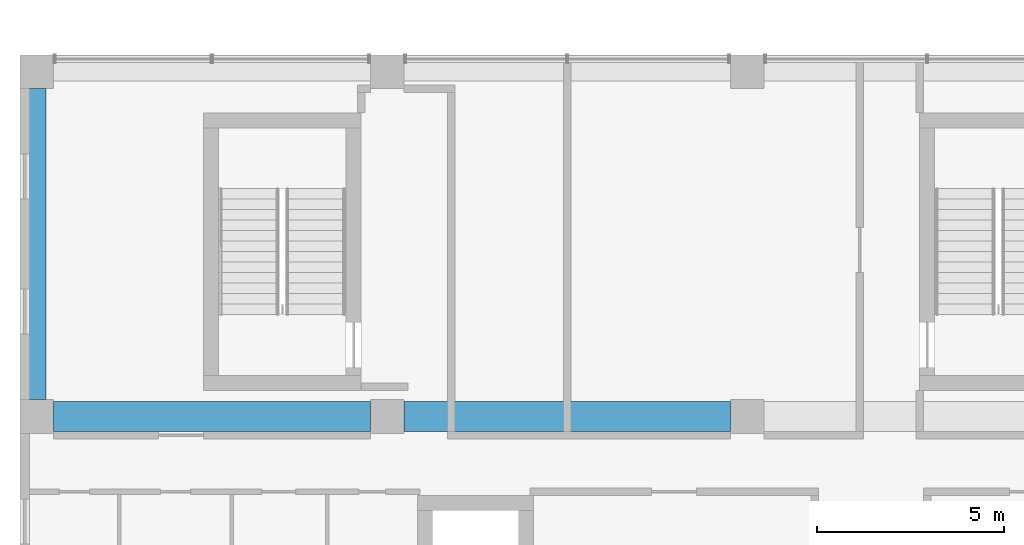
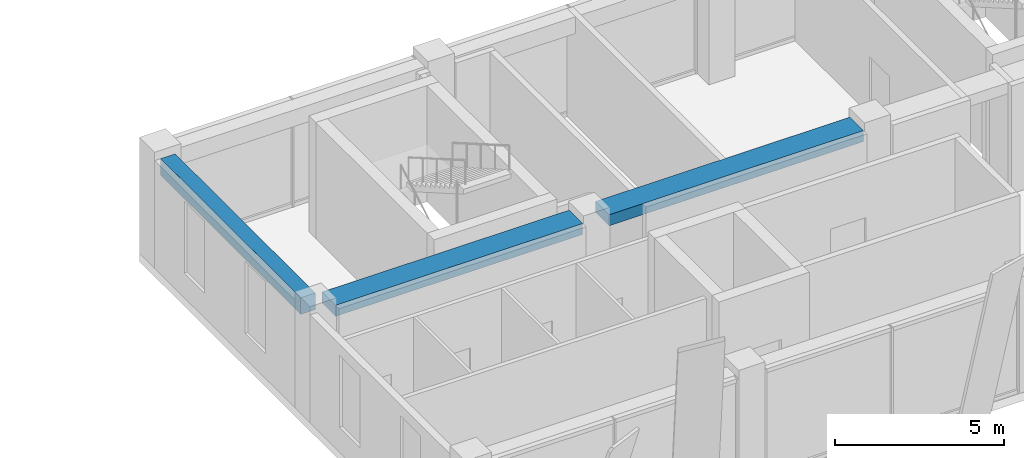
# One storey, part 20 of 36: 3 beams.
"""IFC4 building model written with IfcOpenShell, lengths in metres."""

from ifc_helpers import new_model, si_unit, direction, frame, origin, origin_2d, place, context, subcontext, project, spatial, rectangle, extrude, material, material_profile, profile_set, type_object, element, save


model = new_model("IFC4")

# Units and contexts
model_context = context("Model", 3, precision=1e-05, world=origin(), true_north=direction((0.0, 1.0)))
body_context = subcontext(model_context, "Body", "Model", "MODEL_VIEW")
ifc_project = project(units=[si_unit("LENGTHUNIT", "METRE"), si_unit("AREAUNIT", "SQUARE_METRE"), si_unit("VOLUMEUNIT", "CUBIC_METRE"), si_unit("PLANEANGLEUNIT", "RADIAN"), si_unit("MASSUNIT", "GRAM", prefix="KILO")], contexts=[model_context])

# Site, building, storey
site_placement = place(None, origin())
site = spatial("IfcSite", under=ifc_project, at=site_placement, CompositionType="ELEMENT")
building_placement = place(site_placement, origin())
building = spatial("IfcBuilding", under=site, at=building_placement, Name="Nzadi Deep Aquarium and Research Tower", CompositionType="ELEMENT")
storey_placement = place(building_placement, frame((0.0, 0.0, 40.300048828125)))
storey = spatial("IfcBuildingStorey", under=building, at=storey_placement, Name="L07", CompositionType="ELEMENT", Elevation=40.300048828125)

# Beams
ifc_material_1 = material(Name="Concrete C35/45", Category="concrete")
ifc_material_profile_1 = material_profile(ifc_material_1, rectangle(XDim=0.5, YDim=0.60009765625, at=origin_2d()))
ifc_profile_set_1 = profile_set([ifc_material_profile_1], Name="Concrete C35/45")
beam_type_1 = type_object("IfcBeamType", Name="RC 500x600", PredefinedType="BEAM", material=ifc_profile_set_1)
beam_1_placement = place(storey_placement, frame((0.25, 37.25, 3.599853515625), z_axis=(0.0, 1.0, 0.0), x_axis=(-1.0, 0.0, 0.0)))
element("IfcBeam", 1, at=beam_1_placement, inside=storey, type_object=beam_type_1, Name="B-Z1-L07-CA-2-4", PredefinedType="BEAM", context=body_context, shape_type="SweptSolid", body=[
    extrude(rectangle(XDim=0.5, YDim=0.60009765625, at=origin_2d()), origin(), (0.0, 0.0, 1.0), 8.300048828125),
])
ifc_material_2 = material(Name="Concrete C35/45", Category="concrete")
ifc_material_profile_2 = material_profile(ifc_material_2, rectangle(XDim=0.800048828125, YDim=0.39990234375, at=origin_2d()))
ifc_profile_set_2 = profile_set([ifc_material_profile_2], Name="Concrete C35/45")
beam_type_2 = type_object("IfcBeamType", Name="RC 800x400", PredefinedType="BEAM", material=ifc_profile_set_2)
beam_2_placement = place(storey_placement, frame((0.699951171875, 36.800048828125, 3.699951171875), z_axis=(1.0, 0.0, 0.0), x_axis=(0.0, 1.0, 0.0)))
element("IfcBeam", 2, at=beam_2_placement, inside=storey, type_object=beam_type_2, Name="B-Z1-L07-L5-1", PredefinedType="BEAM", context=body_context, shape_type="SweptSolid", body=[
    extrude(rectangle(XDim=0.800048828125, YDim=0.39990234375, at=origin_2d()), origin(), (0.0, 0.0, 1.0), 8.449951171875),
])
beam_3_placement = place(storey_placement, frame((10.050048828125, 36.800048828125, 3.699951171875), z_axis=(1.0, 0.0, 0.0), x_axis=(0.0, 1.0, 0.0)))
element("IfcBeam", 3, at=beam_3_placement, inside=storey, type_object=beam_type_2, Name="B-Z1-L07-L5-2", PredefinedType="BEAM", context=body_context, shape_type="SweptSolid", body=[
    extrude(rectangle(XDim=0.800048828125, YDim=0.39990234375, at=origin_2d()), origin(), (0.0, 0.0, 1.0), 8.699951171875),
])

save(model, "model.ifc")
